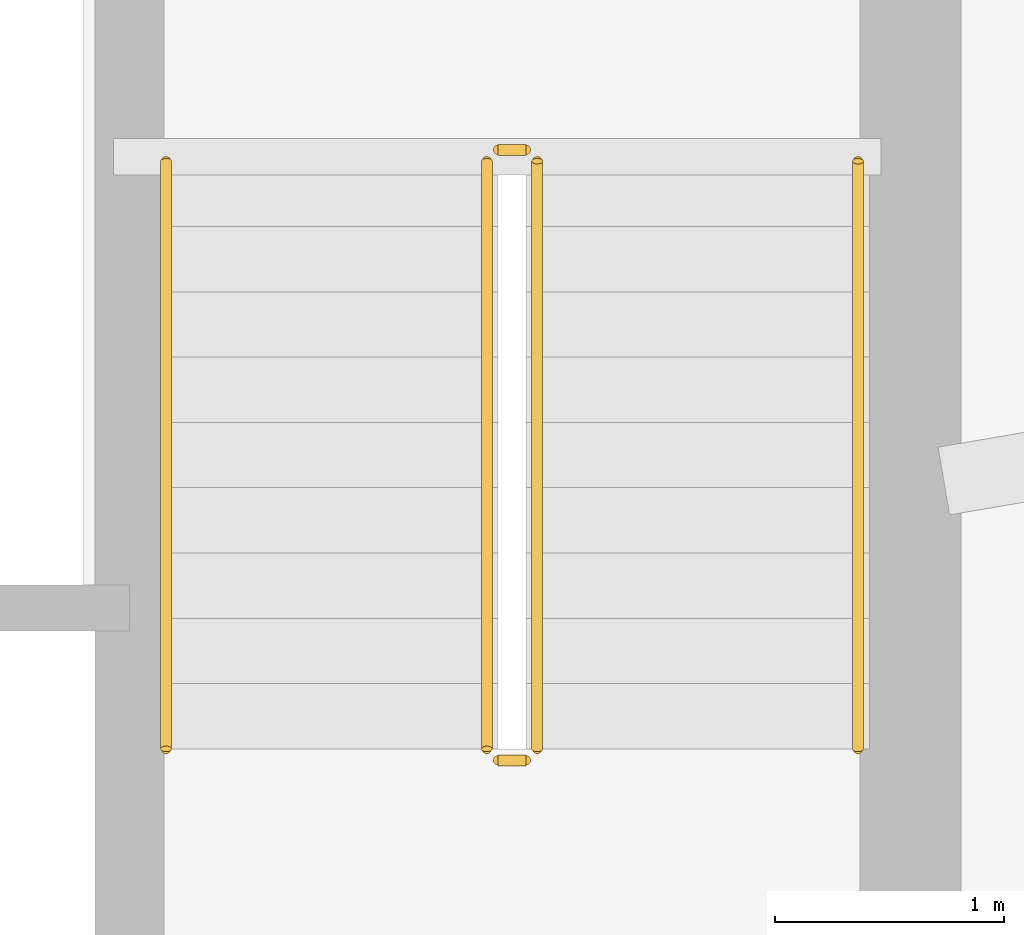
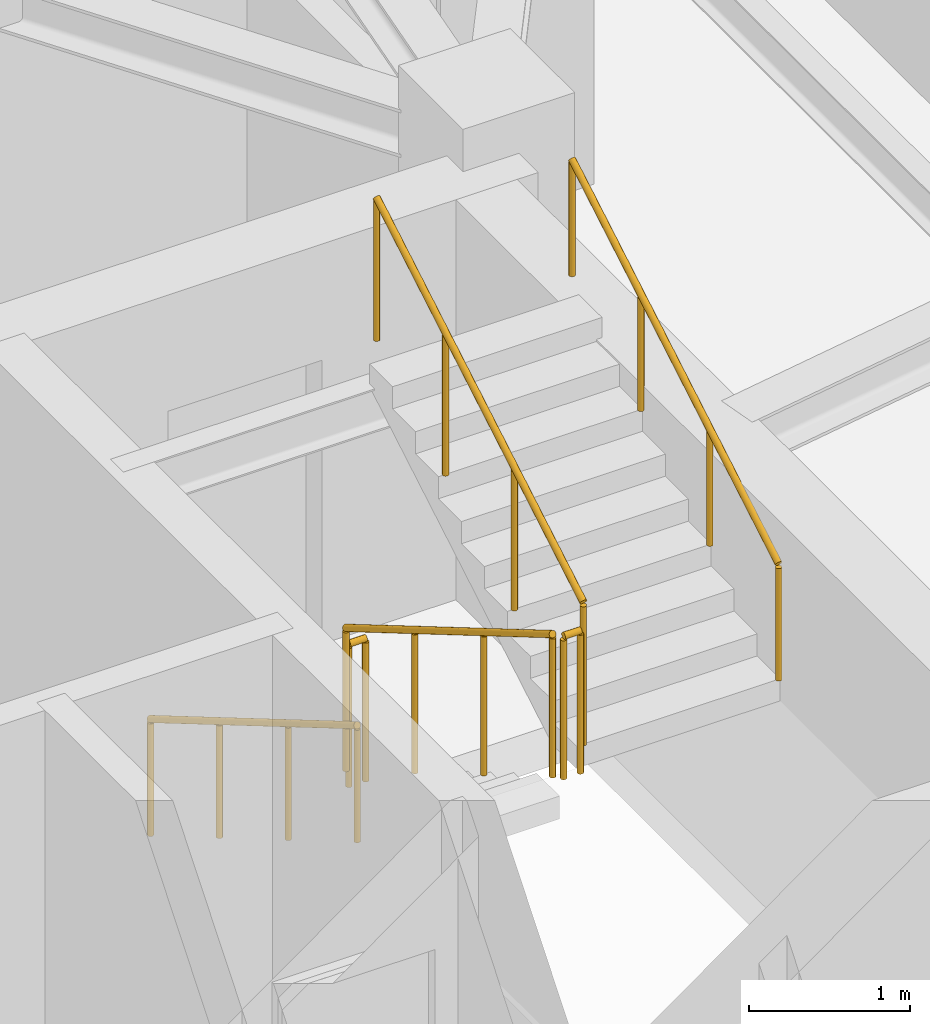
# One storey, part 11 of 11: 6 railings.
"""IFC4 building model written with IfcOpenShell, lengths in metres."""

from ifc_helpers import new_model, si_unit, direction, frame, origin, origin_2d, place, context, subcontext, project, spatial, circle, extrude, material, type_object, element, save


model = new_model("IFC4")

# Units and contexts
model_context = context("Model", 3, precision=1e-05, world=origin(), true_north=direction((0.0, 1.0)))
body_context = subcontext(model_context, "Body", "Model", "MODEL_VIEW")
ifc_project = project(units=[si_unit("LENGTHUNIT", "METRE"), si_unit("AREAUNIT", "SQUARE_METRE"), si_unit("VOLUMEUNIT", "CUBIC_METRE"), si_unit("PLANEANGLEUNIT", "RADIAN"), si_unit("MASSUNIT", "GRAM", prefix="KILO")], contexts=[model_context])

# Site, building, storey
site_placement = place(None, origin())
site = spatial("IfcSite", under=ifc_project, at=site_placement, CompositionType="ELEMENT")
building_placement = place(site_placement, origin())
building = spatial("IfcBuilding", under=site, at=building_placement, Name="Qobustan Lattice House", CompositionType="ELEMENT")
storey_placement = place(building_placement, frame((0.0, 0.0, 258.449951171875)))
storey = spatial("IfcBuildingStorey", under=building, at=storey_placement, Name="L73", CompositionType="ELEMENT", Elevation=258.449951171875)

# Railings
ifc_material_1 = material(Name="Brushed stainless steel handrail", Category="steel")
railing_type_1 = type_object("IfcRailingType", Name="RAL-HR-920", PredefinedType="HANDRAIL", material=ifc_material_1)
railing_1_placement = place(storey_placement, frame((15.179931640625, 3.5, 0.16748046875)))
element("IfcRailing", 1, at=railing_1_placement, inside=storey, type_object=railing_type_1, Name="L73 ST-E1 stair handrail 1", PredefinedType="HANDRAIL", context=body_context, shape_type="SweptSolid", body=[
    extrude(circle(Radius=0.02392578125, at=origin_2d()), frame((0.0, 0.0, 0.8759765625), z_axis=(0.0, -0.862113467892, 0.50671527358), x_axis=(1.0, 0.0, 0.0)), (0.0, 0.0, 1.0), 2.97509765625),
    extrude(circle(Radius=0.02099609375, at=origin_2d()), origin(), (0.0, 0.0, 1.0), 0.851806640625),
    extrude(circle(Radius=0.02099609375, at=origin_2d()), frame((0.0, -0.85498046875, 0.50244140625)), (0.0, 0.0, 1.0), 0.851806640625),
    extrude(circle(Radius=0.02099609375, at=origin_2d()), frame((0.0, -1.7099609375, 1.005126953125)), (0.0, 0.0, 1.0), 0.851806640625),
    extrude(circle(Radius=0.02099609375, at=origin_2d()), frame((0.0, -2.56494140625, 1.507568359375)), (0.0, 0.0, 1.0), 0.851806640625),
])
railing_2_placement = place(storey_placement, frame((18.199951171875, 0.93505859375, 1.842529296875)))
element("IfcRailing", 2, at=railing_2_placement, inside=storey, type_object=railing_type_1, Name="L73 ST-E1 stair handrail 2", PredefinedType="HANDRAIL", context=body_context, shape_type="SweptSolid", body=[
    extrude(circle(Radius=0.02392578125, at=origin_2d()), frame((0.0, 0.0, 0.8759765625), z_axis=(0.0, 0.862113467892, 0.50671527358), x_axis=(-1.0, 0.0, 0.0)), (0.0, 0.0, 1.0), 2.97509765625),
    extrude(circle(Radius=0.02099609375, at=origin_2d()), origin(), (0.0, 0.0, 1.0), 0.851806640625),
    extrude(circle(Radius=0.02099609375, at=origin_2d()), frame((0.0, 0.85498046875, 0.50244140625)), (0.0, 0.0, 1.0), 0.851806640625),
    extrude(circle(Radius=0.02099609375, at=origin_2d()), frame((0.0, 1.7099609375, 1.005126953125)), (0.0, 0.0, 1.0), 0.851806640625),
    extrude(circle(Radius=0.02099609375, at=origin_2d()), frame((0.0, 2.56494140625, 1.507568359375)), (0.0, 0.0, 1.0), 0.851806640625),
])
ifc_material_2 = material(Name="Painted galvanized steel guardrail", Category="steel")
railing_type_2 = type_object("IfcRailingType", Name="RAL-STG-1150", PredefinedType="GUARDRAIL", material=ifc_material_2)
railing_3_placement = place(storey_placement, frame((16.580078125, 3.5, 0.16748046875)))
element("IfcRailing", 3, at=railing_3_placement, inside=storey, type_object=railing_type_2, Name="L73 ST-E1 stair guard 1", PredefinedType="GUARDRAIL", context=body_context, shape_type="SweptSolid", body=[
    extrude(circle(Radius=0.02392578125, at=origin_2d()), frame((0.0, 0.0, 1.076171875), z_axis=(0.0, -0.862113467892, 0.50671527358), x_axis=(1.0, 0.0, 0.0)), (0.0, 0.0, 1.0), 2.97509765625),
    extrude(circle(Radius=0.02099609375, at=origin_2d()), origin(), (0.0, 0.0, 1.0), 1.052001953125),
    extrude(circle(Radius=0.02099609375, at=origin_2d()), frame((0.0, -0.85498046875, 0.50244140625)), (0.0, 0.0, 1.0), 1.052001953125),
    extrude(circle(Radius=0.02099609375, at=origin_2d()), frame((0.0, -1.7099609375, 1.005126953125)), (0.0, 0.0, 1.0), 1.052001953125),
    extrude(circle(Radius=0.02099609375, at=origin_2d()), frame((0.0, -2.56494140625, 1.507568359375)), (0.0, 0.0, 1.0), 1.052001953125),
])
railing_4_placement = place(storey_placement, frame((16.6298828125, 0.885009765625, 1.675048828125)))
element("IfcRailing", 4, at=railing_4_placement, inside=storey, type_object=railing_type_2, Name="L73 ST-E1 stair guard 2", PredefinedType="GUARDRAIL", context=body_context, shape_type="SweptSolid", body=[
    extrude(circle(Radius=0.02392578125, at=origin_2d()), frame((0.0, 0.0, 1.076171875), z_axis=(1.0, 0.0, 0.0), x_axis=(0.0, 1.0, 0.0)), (0.0, 0.0, 1.0), 0.1201171875),
    extrude(circle(Radius=0.02099609375, at=origin_2d()), origin(), (0.0, 0.0, 1.0), 1.052001953125),
    extrude(circle(Radius=0.02099609375, at=origin_2d()), frame((0.1201171875, 0.0, 0.0)), (0.0, 0.0, 1.0), 1.052001953125),
])
railing_5_placement = place(storey_placement, frame((16.800048828125, 0.93505859375, 1.842529296875)))
element("IfcRailing", 5, at=railing_5_placement, inside=storey, type_object=railing_type_2, Name="L73 ST-E1 stair guard 3", PredefinedType="GUARDRAIL", context=body_context, shape_type="SweptSolid", body=[
    extrude(circle(Radius=0.02392578125, at=origin_2d()), frame((0.0, 0.0, 1.076171875), z_axis=(0.0, 0.862113467892, 0.50671527358), x_axis=(-1.0, 0.0, 0.0)), (0.0, 0.0, 1.0), 2.97509765625),
    extrude(circle(Radius=0.02099609375, at=origin_2d()), origin(), (0.0, 0.0, 1.0), 1.052001953125),
    extrude(circle(Radius=0.02099609375, at=origin_2d()), frame((0.0, 0.85498046875, 0.50244140625)), (0.0, 0.0, 1.0), 1.052001953125),
    extrude(circle(Radius=0.02099609375, at=origin_2d()), frame((0.0, 1.7099609375, 1.005126953125)), (0.0, 0.0, 1.0), 1.052001953125),
    extrude(circle(Radius=0.02099609375, at=origin_2d()), frame((0.0, 2.56494140625, 1.507568359375)), (0.0, 0.0, 1.0), 1.052001953125),
])
railing_6_placement = place(storey_placement, frame((16.6298828125, 3.550048828125, 0.0)))
element("IfcRailing", 6, at=railing_6_placement, inside=storey, type_object=railing_type_2, Name="L73 ST-E1 stair guard 4", PredefinedType="GUARDRAIL", context=body_context, shape_type="SweptSolid", body=[
    extrude(circle(Radius=0.02392578125, at=origin_2d()), frame((0.0, 0.0, 1.076171875), z_axis=(1.0, 0.0, 0.0), x_axis=(0.0, 1.0, 0.0)), (0.0, 0.0, 1.0), 0.1201171875),
    extrude(circle(Radius=0.02099609375, at=origin_2d()), origin(), (0.0, 0.0, 1.0), 1.052001953125),
    extrude(circle(Radius=0.02099609375, at=origin_2d()), frame((0.1201171875, 0.0, 0.0)), (0.0, 0.0, 1.0), 1.052001953125),
])

save(model, "model.ifc")
